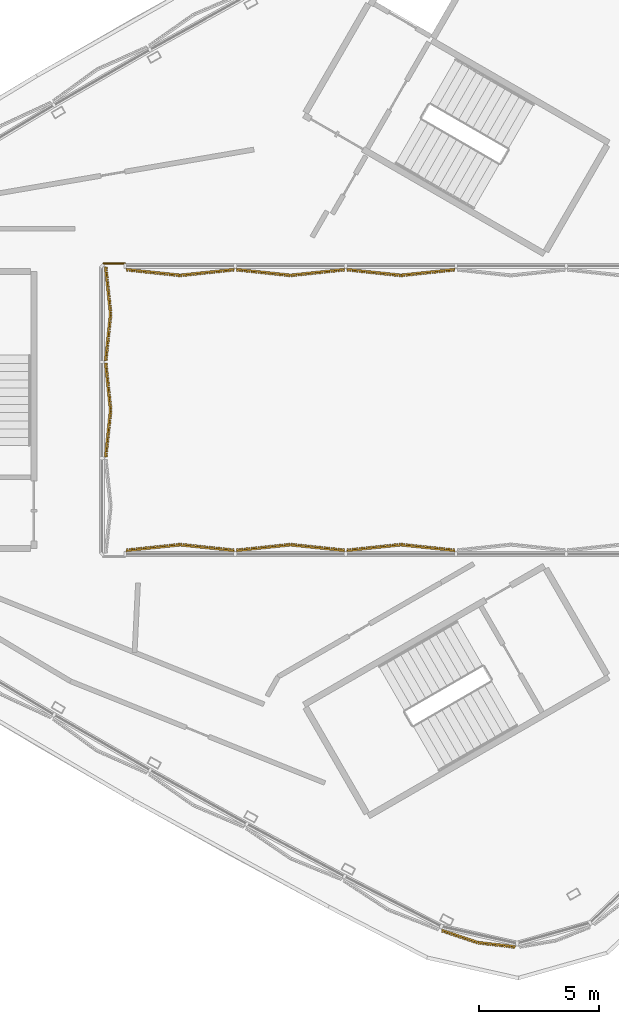
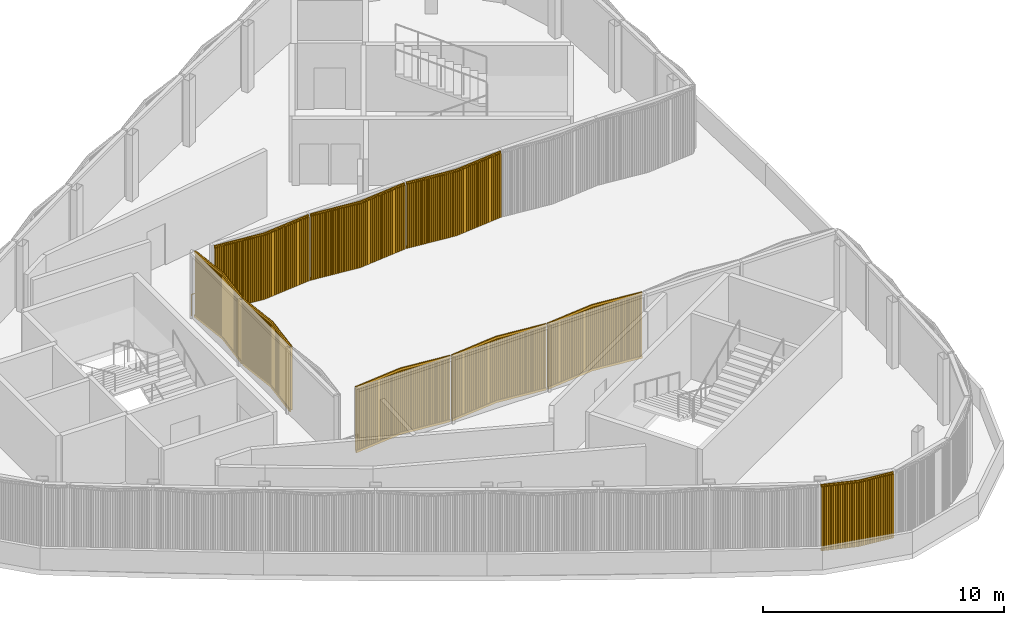
# One storey, part 12 of 16: 9 coverings, 1 railing.
"""IFC4 building model written with IfcOpenShell, lengths in metres."""

from ifc_helpers import new_model, si_unit, direction, frame, frame_2d, origin, origin_2d, place, context, subcontext, project, spatial, rectangle, circle, extrude, source, transform, mapped, material, type_object, element, save


model = new_model("IFC4")

# Units and contexts
model_context = context("Model", 3, precision=1e-05, world=origin(), true_north=direction((0.0, 1.0)))
body_context = subcontext(model_context, "Body", "Model", "MODEL_VIEW")
ifc_project = project(units=[si_unit("LENGTHUNIT", "METRE"), si_unit("AREAUNIT", "SQUARE_METRE"), si_unit("VOLUMEUNIT", "CUBIC_METRE"), si_unit("PLANEANGLEUNIT", "RADIAN"), si_unit("MASSUNIT", "GRAM", prefix="KILO")], contexts=[model_context])

# Site, building, storey
site_placement = place(None, origin())
site = spatial("IfcSite", under=ifc_project, at=site_placement, CompositionType="ELEMENT")
building_placement = place(site_placement, origin())
building = spatial("IfcBuilding", under=site, at=building_placement, Name="Tamra Quay Hotel Tower", CompositionType="ELEMENT")
storey_placement = place(building_placement, frame((0.0, 0.0, 320.60009765625)))
storey = spatial("IfcBuildingStorey", under=building, at=storey_placement, Name="Roof crown 1", CompositionType="ELEMENT", Elevation=320.60009765625)

# Railing
ifc_material_1 = material(Name="Stainless steel balustrade", Category="steel")
railing_type = type_object("IfcRailingType", Name="EXTERIOR GUARD 1100", PredefinedType="GUARDRAIL", material=ifc_material_1)
railing_placement = place(storey_placement, frame((-7.949951171875, 6.10009765625, 0.0)))
element("IfcRailing", 1, at=railing_placement, inside=storey, type_object=railing_type, Name="GR1", PredefinedType="GUARDRAIL", context=body_context, shape_type="SweptSolid", body=[
    extrude(circle(Radius=0.02392578125, at=origin_2d()), frame((0.0, 0.0, 1.076171875), z_axis=(1.0, 0.0, 0.0), x_axis=(0.0, 1.0, 0.0)), (0.0, 0.0, 1.0), 0.91259765625),
    extrude(circle(Radius=0.02099609375, at=origin_2d()), origin(), (0.0, 0.0, 1.0), 1.052001953125),
    extrude(circle(Radius=0.02099609375, at=origin_2d()), frame((0.91259765625, 0.0, 0.0)), (0.0, 0.0, 1.0), 1.052001953125),
])

# Coverings
ifc_material_2 = material(Name="Terracotta baguette extruded", Category="masonry")
covering_type = type_object("IfcCoveringType", Name="BAGUETTE SCREEN CROWN H3350", PredefinedType="USERDEFINED", material=ifc_material_2)
shared_shape_1 = source(origin(), body_context, "Body", "SweptSolid", [
    extrude(rectangle(XDim=1.5810546875, YDim=0.06005859375, at=frame_2d((0.79052734375, 0.030029296875))), frame((-1.578857421875, -0.0576171875, -0.1201171875), z_axis=(0.0, 0.0, 1.0), x_axis=(0.994521895368, -0.104528463268, 0.0)), (0.0, 0.0, 1.0), 0.1201171875),
    extrude(rectangle(XDim=1.5810546875, YDim=0.06005859375, at=frame_2d((0.79052734375, 0.030029296875))), frame((-1.578857421875, -0.0576171875, -3.35009765625), z_axis=(0.0, 0.0, 1.0), x_axis=(0.994521895368, -0.104528463268, 0.0)), (0.0, 0.0, 1.0), 0.1201171875),
    extrude(rectangle(XDim=0.070068359375, YDim=0.10009765625, at=frame_2d((0.03515625, 0.050048828125))), frame((-1.558349609375, -0.133056640625, -3.2900390625)), (0.0, 0.0, 1.0), 3.22998046875),
    extrude(rectangle(XDim=0.070068359375, YDim=0.10009765625, at=frame_2d((0.03515625, 0.050048828125))), frame((-1.4599609375, -0.1435546875, -3.2900390625)), (0.0, 0.0, 1.0), 3.22998046875),
    extrude(rectangle(XDim=0.070068359375, YDim=0.10009765625, at=frame_2d((0.03515625, 0.050048828125))), frame((-1.36181640625, -0.15380859375, -3.2900390625)), (0.0, 0.0, 1.0), 3.22998046875),
    extrude(rectangle(XDim=0.070068359375, YDim=0.10009765625, at=frame_2d((0.03515625, 0.050048828125))), frame((-1.263427734375, -0.1640625, -3.2900390625)), (0.0, 0.0, 1.0), 3.22998046875),
    extrude(rectangle(XDim=0.070068359375, YDim=0.10009765625, at=frame_2d((0.03515625, 0.050048828125))), frame((-1.165283203125, -0.174560546875, -3.2900390625)), (0.0, 0.0, 1.0), 3.22998046875),
    extrude(rectangle(XDim=0.070068359375, YDim=0.10009765625, at=frame_2d((0.03515625, 0.050048828125))), frame((-1.06689453125, -0.184814453125, -3.2900390625)), (0.0, 0.0, 1.0), 3.22998046875),
    extrude(rectangle(XDim=0.070068359375, YDim=0.10009765625, at=frame_2d((0.03515625, 0.050048828125))), frame((-0.96875, -0.195068359375, -3.2900390625)), (0.0, 0.0, 1.0), 3.22998046875),
    extrude(rectangle(XDim=0.070068359375, YDim=0.10009765625, at=frame_2d((0.03515625, 0.050048828125))), frame((-0.870361328125, -0.20556640625, -3.2900390625)), (0.0, 0.0, 1.0), 3.22998046875),
    extrude(rectangle(XDim=0.070068359375, YDim=0.10009765625, at=frame_2d((0.03515625, 0.050048828125))), frame((-0.772216796875, -0.2158203125, -3.2900390625)), (0.0, 0.0, 1.0), 3.22998046875),
    extrude(rectangle(XDim=0.070068359375, YDim=0.10009765625, at=frame_2d((0.03515625, 0.050048828125))), frame((-0.673828125, -0.22607421875, -3.2900390625)), (0.0, 0.0, 1.0), 3.22998046875),
    extrude(rectangle(XDim=0.070068359375, YDim=0.10009765625, at=frame_2d((0.03515625, 0.050048828125))), frame((-0.575439453125, -0.236572265625, -3.2900390625)), (0.0, 0.0, 1.0), 3.22998046875),
    extrude(rectangle(XDim=0.070068359375, YDim=0.10009765625, at=frame_2d((0.03515625, 0.050048828125))), frame((-0.477294921875, -0.246826171875, -3.2900390625)), (0.0, 0.0, 1.0), 3.22998046875),
    extrude(rectangle(XDim=0.070068359375, YDim=0.10009765625, at=frame_2d((0.03515625, 0.050048828125))), frame((-0.37890625, -0.257080078125, -3.2900390625)), (0.0, 0.0, 1.0), 3.22998046875),
    extrude(rectangle(XDim=0.070068359375, YDim=0.10009765625, at=frame_2d((0.03515625, 0.050048828125))), frame((-0.28076171875, -0.267333984375, -3.2900390625)), (0.0, 0.0, 1.0), 3.22998046875),
    extrude(rectangle(XDim=0.070068359375, YDim=0.10009765625, at=frame_2d((0.03515625, 0.050048828125))), frame((-0.182373046875, -0.27783203125, -3.2900390625)), (0.0, 0.0, 1.0), 3.22998046875),
    extrude(rectangle(XDim=0.070068359375, YDim=0.10009765625, at=frame_2d((0.03515625, 0.050048828125))), frame((-0.084228515625, -0.2880859375, -3.2900390625)), (0.0, 0.0, 1.0), 3.22998046875),
    extrude(rectangle(XDim=1.5810546875, YDim=0.06005859375, at=frame_2d((0.79052734375, 0.030029296875))), frame((0.00634765625, -0.222900390625, -0.1201171875), z_axis=(0.0, 0.0, 1.0), x_axis=(0.994521895368, 0.104528463268, 0.0)), (0.0, 0.0, 1.0), 0.1201171875),
    extrude(rectangle(XDim=1.5810546875, YDim=0.06005859375, at=frame_2d((0.79052734375, 0.030029296875))), frame((0.00634765625, -0.222900390625, -3.35009765625), z_axis=(0.0, 0.0, 1.0), x_axis=(0.994521895368, 0.104528463268, 0.0)), (0.0, 0.0, 1.0), 0.1201171875),
    extrude(rectangle(XDim=0.070068359375, YDim=0.10009765625, at=frame_2d((0.03515625, 0.050048828125))), frame((0.01416015625, -0.2880859375, -3.2900390625)), (0.0, 0.0, 1.0), 3.22998046875),
    extrude(rectangle(XDim=0.070068359375, YDim=0.10009765625, at=frame_2d((0.03515625, 0.050048828125))), frame((0.1123046875, -0.27783203125, -3.2900390625)), (0.0, 0.0, 1.0), 3.22998046875),
    extrude(rectangle(XDim=0.070068359375, YDim=0.10009765625, at=frame_2d((0.03515625, 0.050048828125))), frame((0.210693359375, -0.267333984375, -3.2900390625)), (0.0, 0.0, 1.0), 3.22998046875),
    extrude(rectangle(XDim=0.070068359375, YDim=0.10009765625, at=frame_2d((0.03515625, 0.050048828125))), frame((0.30908203125, -0.257080078125, -3.2900390625)), (0.0, 0.0, 1.0), 3.22998046875),
    extrude(rectangle(XDim=0.070068359375, YDim=0.10009765625, at=frame_2d((0.03515625, 0.050048828125))), frame((0.4072265625, -0.246826171875, -3.2900390625)), (0.0, 0.0, 1.0), 3.22998046875),
    extrude(rectangle(XDim=0.070068359375, YDim=0.10009765625, at=frame_2d((0.03515625, 0.050048828125))), frame((0.505615234375, -0.236572265625, -3.2900390625)), (0.0, 0.0, 1.0), 3.22998046875),
    extrude(rectangle(XDim=0.070068359375, YDim=0.10009765625, at=frame_2d((0.03515625, 0.050048828125))), frame((0.603759765625, -0.22607421875, -3.2900390625)), (0.0, 0.0, 1.0), 3.22998046875),
    extrude(rectangle(XDim=0.070068359375, YDim=0.10009765625, at=frame_2d((0.03515625, 0.050048828125))), frame((0.7021484375, -0.2158203125, -3.2900390625)), (0.0, 0.0, 1.0), 3.22998046875),
    extrude(rectangle(XDim=0.070068359375, YDim=0.10009765625, at=frame_2d((0.03515625, 0.050048828125))), frame((0.80029296875, -0.20556640625, -3.2900390625)), (0.0, 0.0, 1.0), 3.22998046875),
    extrude(rectangle(XDim=0.070068359375, YDim=0.10009765625, at=frame_2d((0.03515625, 0.050048828125))), frame((0.898681640625, -0.195068359375, -3.2900390625)), (0.0, 0.0, 1.0), 3.22998046875),
    extrude(rectangle(XDim=0.070068359375, YDim=0.10009765625, at=frame_2d((0.03515625, 0.050048828125))), frame((0.9970703125, -0.184814453125, -3.2900390625)), (0.0, 0.0, 1.0), 3.22998046875),
    extrude(rectangle(XDim=0.070068359375, YDim=0.10009765625, at=frame_2d((0.03515625, 0.050048828125))), frame((1.09521484375, -0.174560546875, -3.2900390625)), (0.0, 0.0, 1.0), 3.22998046875),
    extrude(rectangle(XDim=0.070068359375, YDim=0.10009765625, at=frame_2d((0.03515625, 0.050048828125))), frame((1.193603515625, -0.1640625, -3.2900390625)), (0.0, 0.0, 1.0), 3.22998046875),
    extrude(rectangle(XDim=0.070068359375, YDim=0.10009765625, at=frame_2d((0.03515625, 0.050048828125))), frame((1.291748046875, -0.15380859375, -3.2900390625)), (0.0, 0.0, 1.0), 3.22998046875),
    extrude(rectangle(XDim=0.070068359375, YDim=0.10009765625, at=frame_2d((0.03515625, 0.050048828125))), frame((1.39013671875, -0.1435546875, -3.2900390625)), (0.0, 0.0, 1.0), 3.22998046875),
    extrude(rectangle(XDim=0.070068359375, YDim=0.10009765625, at=frame_2d((0.03515625, 0.050048828125))), frame((1.48828125, -0.133056640625, -3.2900390625)), (0.0, 0.0, 1.0), 3.22998046875),
])
covering_placement = place(storey_placement, frame((7.689697265625, -21.952392578125, 3.349853515625), z_axis=(0.0, 0.0, 1.0), x_axis=(0.975768325721, -0.218806248814, 0.0)))
element("IfcCovering", 2, at=covering_placement, inside=storey, type_object=covering_type, Name="Baguette screen Roof crown 1.B.f15", ObjectType="BAGUETTE SCREEN", PredefinedType="USERDEFINED", context=body_context, shape_type="MappedRepresentation", body=[
    mapped(shared_shape_1, transform((0.0, 0.0, 0.0), scale=1.0)),
])
shared_shape_2 = source(origin(), body_context, "Body", "SweptSolid", [
    extrude(rectangle(XDim=2.264892578125, YDim=0.06005859375, at=frame_2d((1.13232421875, 0.030029296875))), frame((-2.2587890625, -0.0576171875, -0.1201171875), z_axis=(0.0, 0.0, 1.0), x_axis=(0.994521895368, -0.104528463268, 0.0)), (0.0, 0.0, 1.0), 0.1201171875),
    extrude(rectangle(XDim=2.264892578125, YDim=0.06005859375, at=frame_2d((1.13232421875, 0.030029296875))), frame((-2.2587890625, -0.0576171875, -3.35009765625), z_axis=(0.0, 0.0, 1.0), x_axis=(0.994521895368, -0.104528463268, 0.0)), (0.0, 0.0, 1.0), 0.1201171875),
    extrude(rectangle(XDim=0.070068359375, YDim=0.10009765625, at=frame_2d((0.03515625, 0.050048828125))), frame((-2.238525390625, -0.133056640625, -3.2900390625)), (0.0, 0.0, 1.0), 3.22998046875),
    extrude(rectangle(XDim=0.070068359375, YDim=0.10009765625, at=frame_2d((0.03515625, 0.050048828125))), frame((-2.140625, -0.1435546875, -3.2900390625)), (0.0, 0.0, 1.0), 3.22998046875),
    extrude(rectangle(XDim=0.070068359375, YDim=0.10009765625, at=frame_2d((0.03515625, 0.050048828125))), frame((-2.042724609375, -0.15380859375, -3.2900390625)), (0.0, 0.0, 1.0), 3.22998046875),
    extrude(rectangle(XDim=0.070068359375, YDim=0.10009765625, at=frame_2d((0.03515625, 0.050048828125))), frame((-1.94482421875, -0.1640625, -3.2900390625)), (0.0, 0.0, 1.0), 3.22998046875),
    extrude(rectangle(XDim=0.070068359375, YDim=0.10009765625, at=frame_2d((0.03515625, 0.050048828125))), frame((-1.8466796875, -0.17431640625, -3.2900390625)), (0.0, 0.0, 1.0), 3.22998046875),
    extrude(rectangle(XDim=0.070068359375, YDim=0.10009765625, at=frame_2d((0.03515625, 0.050048828125))), frame((-1.748779296875, -0.1845703125, -3.2900390625)), (0.0, 0.0, 1.0), 3.22998046875),
    extrude(rectangle(XDim=0.070068359375, YDim=0.10009765625, at=frame_2d((0.03515625, 0.050048828125))), frame((-1.65087890625, -0.19482421875, -3.2900390625)), (0.0, 0.0, 1.0), 3.22998046875),
    extrude(rectangle(XDim=0.070068359375, YDim=0.10009765625, at=frame_2d((0.03515625, 0.050048828125))), frame((-1.552978515625, -0.205078125, -3.2900390625)), (0.0, 0.0, 1.0), 3.22998046875),
    extrude(rectangle(XDim=0.070068359375, YDim=0.10009765625, at=frame_2d((0.03515625, 0.050048828125))), frame((-1.455078125, -0.215576171875, -3.2900390625)), (0.0, 0.0, 1.0), 3.22998046875),
    extrude(rectangle(XDim=0.070068359375, YDim=0.10009765625, at=frame_2d((0.03515625, 0.050048828125))), frame((-1.357177734375, -0.225830078125, -3.2900390625)), (0.0, 0.0, 1.0), 3.22998046875),
    extrude(rectangle(XDim=0.070068359375, YDim=0.10009765625, at=frame_2d((0.03515625, 0.050048828125))), frame((-1.25927734375, -0.236083984375, -3.2900390625)), (0.0, 0.0, 1.0), 3.22998046875),
    extrude(rectangle(XDim=0.070068359375, YDim=0.10009765625, at=frame_2d((0.03515625, 0.050048828125))), frame((-1.1611328125, -0.246337890625, -3.2900390625)), (0.0, 0.0, 1.0), 3.22998046875),
    extrude(rectangle(XDim=0.070068359375, YDim=0.10009765625, at=frame_2d((0.03515625, 0.050048828125))), frame((-1.063232421875, -0.256591796875, -3.2900390625)), (0.0, 0.0, 1.0), 3.22998046875),
    extrude(rectangle(XDim=0.070068359375, YDim=0.10009765625, at=frame_2d((0.03515625, 0.050048828125))), frame((-0.96533203125, -0.266845703125, -3.2900390625)), (0.0, 0.0, 1.0), 3.22998046875),
    extrude(rectangle(XDim=0.070068359375, YDim=0.10009765625, at=frame_2d((0.03515625, 0.050048828125))), frame((-0.867431640625, -0.27734375, -3.2900390625)), (0.0, 0.0, 1.0), 3.22998046875),
    extrude(rectangle(XDim=0.070068359375, YDim=0.10009765625, at=frame_2d((0.03515625, 0.050048828125))), frame((-0.76953125, -0.28759765625, -3.2900390625)), (0.0, 0.0, 1.0), 3.22998046875),
    extrude(rectangle(XDim=0.070068359375, YDim=0.10009765625, at=frame_2d((0.03515625, 0.050048828125))), frame((-0.671630859375, -0.2978515625, -3.2900390625)), (0.0, 0.0, 1.0), 3.22998046875),
    extrude(rectangle(XDim=0.070068359375, YDim=0.10009765625, at=frame_2d((0.03515625, 0.050048828125))), frame((-0.57373046875, -0.30810546875, -3.2900390625)), (0.0, 0.0, 1.0), 3.22998046875),
    extrude(rectangle(XDim=0.070068359375, YDim=0.10009765625, at=frame_2d((0.03515625, 0.050048828125))), frame((-0.475830078125, -0.318359375, -3.2900390625)), (0.0, 0.0, 1.0), 3.22998046875),
    extrude(rectangle(XDim=0.070068359375, YDim=0.10009765625, at=frame_2d((0.03515625, 0.050048828125))), frame((-0.377685546875, -0.32861328125, -3.2900390625)), (0.0, 0.0, 1.0), 3.22998046875),
    extrude(rectangle(XDim=0.070068359375, YDim=0.10009765625, at=frame_2d((0.03515625, 0.050048828125))), frame((-0.27978515625, -0.339111328125, -3.2900390625)), (0.0, 0.0, 1.0), 3.22998046875),
    extrude(rectangle(XDim=0.070068359375, YDim=0.10009765625, at=frame_2d((0.03515625, 0.050048828125))), frame((-0.181884765625, -0.349365234375, -3.2900390625)), (0.0, 0.0, 1.0), 3.22998046875),
    extrude(rectangle(XDim=0.070068359375, YDim=0.10009765625, at=frame_2d((0.03515625, 0.050048828125))), frame((-0.083984375, -0.359619140625, -3.2900390625)), (0.0, 0.0, 1.0), 3.22998046875),
    extrude(rectangle(XDim=2.264892578125, YDim=0.06005859375, at=frame_2d((1.13232421875, 0.030029296875))), frame((0.00634765625, -0.29443359375, -0.1201171875), z_axis=(0.0, 0.0, 1.0), x_axis=(0.994521895368, 0.104528463268, 0.0)), (0.0, 0.0, 1.0), 0.1201171875),
    extrude(rectangle(XDim=2.264892578125, YDim=0.06005859375, at=frame_2d((1.13232421875, 0.030029296875))), frame((0.00634765625, -0.29443359375, -3.35009765625), z_axis=(0.0, 0.0, 1.0), x_axis=(0.994521895368, 0.104528463268, 0.0)), (0.0, 0.0, 1.0), 0.1201171875),
    extrude(rectangle(XDim=0.070068359375, YDim=0.10009765625, at=frame_2d((0.03515625, 0.050048828125))), frame((0.013916015625, -0.359619140625, -3.2900390625)), (0.0, 0.0, 1.0), 3.22998046875),
    extrude(rectangle(XDim=0.070068359375, YDim=0.10009765625, at=frame_2d((0.03515625, 0.050048828125))), frame((0.11181640625, -0.349365234375, -3.2900390625)), (0.0, 0.0, 1.0), 3.22998046875),
    extrude(rectangle(XDim=0.070068359375, YDim=0.10009765625, at=frame_2d((0.03515625, 0.050048828125))), frame((0.2099609375, -0.339111328125, -3.2900390625)), (0.0, 0.0, 1.0), 3.22998046875),
    extrude(rectangle(XDim=0.070068359375, YDim=0.10009765625, at=frame_2d((0.03515625, 0.050048828125))), frame((0.307861328125, -0.32861328125, -3.2900390625)), (0.0, 0.0, 1.0), 3.22998046875),
    extrude(rectangle(XDim=0.070068359375, YDim=0.10009765625, at=frame_2d((0.03515625, 0.050048828125))), frame((0.40576171875, -0.318359375, -3.2900390625)), (0.0, 0.0, 1.0), 3.22998046875),
    extrude(rectangle(XDim=0.070068359375, YDim=0.10009765625, at=frame_2d((0.03515625, 0.050048828125))), frame((0.503662109375, -0.30810546875, -3.2900390625)), (0.0, 0.0, 1.0), 3.22998046875),
    extrude(rectangle(XDim=0.070068359375, YDim=0.10009765625, at=frame_2d((0.03515625, 0.050048828125))), frame((0.6015625, -0.2978515625, -3.2900390625)), (0.0, 0.0, 1.0), 3.22998046875),
    extrude(rectangle(XDim=0.070068359375, YDim=0.10009765625, at=frame_2d((0.03515625, 0.050048828125))), frame((0.699462890625, -0.28759765625, -3.2900390625)), (0.0, 0.0, 1.0), 3.22998046875),
    extrude(rectangle(XDim=0.070068359375, YDim=0.10009765625, at=frame_2d((0.03515625, 0.050048828125))), frame((0.79736328125, -0.27734375, -3.2900390625)), (0.0, 0.0, 1.0), 3.22998046875),
    extrude(rectangle(XDim=0.070068359375, YDim=0.10009765625, at=frame_2d((0.03515625, 0.050048828125))), frame((0.895263671875, -0.266845703125, -3.2900390625)), (0.0, 0.0, 1.0), 3.22998046875),
    extrude(rectangle(XDim=0.070068359375, YDim=0.10009765625, at=frame_2d((0.03515625, 0.050048828125))), frame((0.993408203125, -0.256591796875, -3.2900390625)), (0.0, 0.0, 1.0), 3.22998046875),
    extrude(rectangle(XDim=0.070068359375, YDim=0.10009765625, at=frame_2d((0.03515625, 0.050048828125))), frame((1.09130859375, -0.246337890625, -3.2900390625)), (0.0, 0.0, 1.0), 3.22998046875),
    extrude(rectangle(XDim=0.070068359375, YDim=0.10009765625, at=frame_2d((0.03515625, 0.050048828125))), frame((1.189208984375, -0.236083984375, -3.2900390625)), (0.0, 0.0, 1.0), 3.22998046875),
    extrude(rectangle(XDim=0.070068359375, YDim=0.10009765625, at=frame_2d((0.03515625, 0.050048828125))), frame((1.287109375, -0.225830078125, -3.2900390625)), (0.0, 0.0, 1.0), 3.22998046875),
    extrude(rectangle(XDim=0.070068359375, YDim=0.10009765625, at=frame_2d((0.03515625, 0.050048828125))), frame((1.385009765625, -0.215576171875, -3.2900390625)), (0.0, 0.0, 1.0), 3.22998046875),
    extrude(rectangle(XDim=0.070068359375, YDim=0.10009765625, at=frame_2d((0.03515625, 0.050048828125))), frame((1.48291015625, -0.205078125, -3.2900390625)), (0.0, 0.0, 1.0), 3.22998046875),
    extrude(rectangle(XDim=0.070068359375, YDim=0.10009765625, at=frame_2d((0.03515625, 0.050048828125))), frame((1.580810546875, -0.19482421875, -3.2900390625)), (0.0, 0.0, 1.0), 3.22998046875),
    extrude(rectangle(XDim=0.070068359375, YDim=0.10009765625, at=frame_2d((0.03515625, 0.050048828125))), frame((1.678955078125, -0.1845703125, -3.2900390625)), (0.0, 0.0, 1.0), 3.22998046875),
    extrude(rectangle(XDim=0.070068359375, YDim=0.10009765625, at=frame_2d((0.03515625, 0.050048828125))), frame((1.77685546875, -0.17431640625, -3.2900390625)), (0.0, 0.0, 1.0), 3.22998046875),
    extrude(rectangle(XDim=0.070068359375, YDim=0.10009765625, at=frame_2d((0.03515625, 0.050048828125))), frame((1.874755859375, -0.1640625, -3.2900390625)), (0.0, 0.0, 1.0), 3.22998046875),
    extrude(rectangle(XDim=0.070068359375, YDim=0.10009765625, at=frame_2d((0.03515625, 0.050048828125))), frame((1.97265625, -0.15380859375, -3.2900390625)), (0.0, 0.0, 1.0), 3.22998046875),
    extrude(rectangle(XDim=0.070068359375, YDim=0.10009765625, at=frame_2d((0.03515625, 0.050048828125))), frame((2.070556640625, -0.1435546875, -3.2900390625)), (0.0, 0.0, 1.0), 3.22998046875),
    extrude(rectangle(XDim=0.070068359375, YDim=0.10009765625, at=frame_2d((0.03515625, 0.050048828125))), frame((2.16845703125, -0.133056640625, -3.2900390625)), (0.0, 0.0, 1.0), 3.22998046875),
])
for number, where, z_axis, x_axis, name in (
    (3, (-4.740966796875, 5.902099609375, 3.349853515625), (0.0, 0.0, 1.0), (1.0, 0.0, 0.0), "Baguette screen Roof crown 1.A.f15"),
    (4, (-0.148193359375, 5.902099609375, 3.349853515625), (0.0, 0.0, 1.0), (1.0, 0.0, 0.0), "Baguette screen Roof crown 1.A.f16"),
    (5, (4.444580078125, 5.902099609375, 3.349853515625), (0.0, 0.0, 1.0), (1.0, 0.0, 0.0), "Baguette screen Roof crown 1.A.f17"),
    (6, (4.444580078125, -5.902099609375, 3.349853515625), (0.0, 0.0, 1.0), (-1.0, 0.0, 0.0), "Baguette screen Roof crown 1.B.f02"),
    (7, (-0.148193359375, -5.902099609375, 3.349853515625), (0.0, 0.0, 1.0), (-1.0, 0.0, 0.0), "Baguette screen Roof crown 1.B.f03"),
    (8, (-4.740966796875, -5.902099609375, 3.349853515625), (0.0, 0.0, 1.0), (-1.0, 0.0, 0.0), "Baguette screen Roof crown 1.B.f04"),
):
    element("IfcCovering", number, at=place(storey_placement, frame(where, z_axis=z_axis, x_axis=x_axis)), inside=storey, type_object=covering_type, Name=name, ObjectType="BAGUETTE SCREEN", PredefinedType="USERDEFINED", context=body_context, shape_type="MappedRepresentation", body=[
        mapped(shared_shape_2, transform((0.0, 0.0, 0.0), scale=1.0)),
    ])
shared_shape_3 = source(origin(), body_context, "Body", "SweptSolid", [
    extrude(rectangle(XDim=1.973388671875, YDim=0.06005859375, at=frame_2d((0.98681640625, 0.030029296875))), frame((-1.96875, -0.0576171875, -0.1201171875), z_axis=(0.0, 0.0, 1.0), x_axis=(0.994521895368, -0.104528463268, 0.0)), (0.0, 0.0, 1.0), 0.1201171875),
    extrude(rectangle(XDim=1.973388671875, YDim=0.06005859375, at=frame_2d((0.98681640625, 0.030029296875))), frame((-1.96875, -0.0576171875, -3.35009765625), z_axis=(0.0, 0.0, 1.0), x_axis=(0.994521895368, -0.104528463268, 0.0)), (0.0, 0.0, 1.0), 0.1201171875),
    extrude(rectangle(XDim=0.070068359375, YDim=0.10009765625, at=frame_2d((0.03515625, 0.050048828125))), frame((-1.948486328125, -0.133056640625, -3.2900390625)), (0.0, 0.0, 1.0), 3.22998046875),
    extrude(rectangle(XDim=0.070068359375, YDim=0.10009765625, at=frame_2d((0.03515625, 0.050048828125))), frame((-1.850341796875, -0.1435546875, -3.2900390625)), (0.0, 0.0, 1.0), 3.22998046875),
    extrude(rectangle(XDim=0.070068359375, YDim=0.10009765625, at=frame_2d((0.03515625, 0.050048828125))), frame((-1.752197265625, -0.15380859375, -3.2900390625)), (0.0, 0.0, 1.0), 3.22998046875),
    extrude(rectangle(XDim=0.070068359375, YDim=0.10009765625, at=frame_2d((0.03515625, 0.050048828125))), frame((-1.654052734375, -0.1640625, -3.2900390625)), (0.0, 0.0, 1.0), 3.22998046875),
    extrude(rectangle(XDim=0.070068359375, YDim=0.10009765625, at=frame_2d((0.03515625, 0.050048828125))), frame((-1.555908203125, -0.17431640625, -3.2900390625)), (0.0, 0.0, 1.0), 3.22998046875),
    extrude(rectangle(XDim=0.070068359375, YDim=0.10009765625, at=frame_2d((0.03515625, 0.050048828125))), frame((-1.457763671875, -0.184814453125, -3.2900390625)), (0.0, 0.0, 1.0), 3.22998046875),
    extrude(rectangle(XDim=0.070068359375, YDim=0.10009765625, at=frame_2d((0.03515625, 0.050048828125))), frame((-1.359619140625, -0.195068359375, -3.2900390625)), (0.0, 0.0, 1.0), 3.22998046875),
    extrude(rectangle(XDim=0.070068359375, YDim=0.10009765625, at=frame_2d((0.03515625, 0.050048828125))), frame((-1.261474609375, -0.205322265625, -3.2900390625)), (0.0, 0.0, 1.0), 3.22998046875),
    extrude(rectangle(XDim=0.070068359375, YDim=0.10009765625, at=frame_2d((0.03515625, 0.050048828125))), frame((-1.163330078125, -0.215576171875, -3.2900390625)), (0.0, 0.0, 1.0), 3.22998046875),
    extrude(rectangle(XDim=0.070068359375, YDim=0.10009765625, at=frame_2d((0.03515625, 0.050048828125))), frame((-1.0654296875, -0.22607421875, -3.2900390625)), (0.0, 0.0, 1.0), 3.22998046875),
    extrude(rectangle(XDim=0.070068359375, YDim=0.10009765625, at=frame_2d((0.03515625, 0.050048828125))), frame((-0.96728515625, -0.236328125, -3.2900390625)), (0.0, 0.0, 1.0), 3.22998046875),
    extrude(rectangle(XDim=0.070068359375, YDim=0.10009765625, at=frame_2d((0.03515625, 0.050048828125))), frame((-0.869140625, -0.24658203125, -3.2900390625)), (0.0, 0.0, 1.0), 3.22998046875),
    extrude(rectangle(XDim=0.070068359375, YDim=0.10009765625, at=frame_2d((0.03515625, 0.050048828125))), frame((-0.77099609375, -0.2568359375, -3.2900390625)), (0.0, 0.0, 1.0), 3.22998046875),
    extrude(rectangle(XDim=0.070068359375, YDim=0.10009765625, at=frame_2d((0.03515625, 0.050048828125))), frame((-0.6728515625, -0.267333984375, -3.2900390625)), (0.0, 0.0, 1.0), 3.22998046875),
    extrude(rectangle(XDim=0.070068359375, YDim=0.10009765625, at=frame_2d((0.03515625, 0.050048828125))), frame((-0.57470703125, -0.277587890625, -3.2900390625)), (0.0, 0.0, 1.0), 3.22998046875),
    extrude(rectangle(XDim=0.070068359375, YDim=0.10009765625, at=frame_2d((0.03515625, 0.050048828125))), frame((-0.4765625, -0.287841796875, -3.2900390625)), (0.0, 0.0, 1.0), 3.22998046875),
    extrude(rectangle(XDim=0.070068359375, YDim=0.10009765625, at=frame_2d((0.03515625, 0.050048828125))), frame((-0.37841796875, -0.298095703125, -3.2900390625)), (0.0, 0.0, 1.0), 3.22998046875),
    extrude(rectangle(XDim=0.070068359375, YDim=0.10009765625, at=frame_2d((0.03515625, 0.050048828125))), frame((-0.2802734375, -0.30859375, -3.2900390625)), (0.0, 0.0, 1.0), 3.22998046875),
    extrude(rectangle(XDim=0.070068359375, YDim=0.10009765625, at=frame_2d((0.03515625, 0.050048828125))), frame((-0.18212890625, -0.31884765625, -3.2900390625)), (0.0, 0.0, 1.0), 3.22998046875),
    extrude(rectangle(XDim=0.070068359375, YDim=0.10009765625, at=frame_2d((0.03515625, 0.050048828125))), frame((-0.083984375, -0.3291015625, -3.2900390625)), (0.0, 0.0, 1.0), 3.22998046875),
    extrude(rectangle(XDim=1.973388671875, YDim=0.06005859375, at=frame_2d((0.98681640625, 0.030029296875))), frame((0.00634765625, -0.263916015625, -0.1201171875), z_axis=(0.0, 0.0, 1.0), x_axis=(0.994521895368, 0.104528463268, 0.0)), (0.0, 0.0, 1.0), 0.1201171875),
    extrude(rectangle(XDim=1.973388671875, YDim=0.06005859375, at=frame_2d((0.98681640625, 0.030029296875))), frame((0.00634765625, -0.263916015625, -3.35009765625), z_axis=(0.0, 0.0, 1.0), x_axis=(0.994521895368, 0.104528463268, 0.0)), (0.0, 0.0, 1.0), 0.1201171875),
    extrude(rectangle(XDim=0.070068359375, YDim=0.10009765625, at=frame_2d((0.03515625, 0.050048828125))), frame((0.01416015625, -0.3291015625, -3.2900390625)), (0.0, 0.0, 1.0), 3.22998046875),
    extrude(rectangle(XDim=0.070068359375, YDim=0.10009765625, at=frame_2d((0.03515625, 0.050048828125))), frame((0.1123046875, -0.31884765625, -3.2900390625)), (0.0, 0.0, 1.0), 3.22998046875),
    extrude(rectangle(XDim=0.070068359375, YDim=0.10009765625, at=frame_2d((0.03515625, 0.050048828125))), frame((0.210205078125, -0.30859375, -3.2900390625)), (0.0, 0.0, 1.0), 3.22998046875),
    extrude(rectangle(XDim=0.070068359375, YDim=0.10009765625, at=frame_2d((0.03515625, 0.050048828125))), frame((0.308349609375, -0.298095703125, -3.2900390625)), (0.0, 0.0, 1.0), 3.22998046875),
    extrude(rectangle(XDim=0.070068359375, YDim=0.10009765625, at=frame_2d((0.03515625, 0.050048828125))), frame((0.406494140625, -0.287841796875, -3.2900390625)), (0.0, 0.0, 1.0), 3.22998046875),
    extrude(rectangle(XDim=0.070068359375, YDim=0.10009765625, at=frame_2d((0.03515625, 0.050048828125))), frame((0.504638671875, -0.277587890625, -3.2900390625)), (0.0, 0.0, 1.0), 3.22998046875),
    extrude(rectangle(XDim=0.070068359375, YDim=0.10009765625, at=frame_2d((0.03515625, 0.050048828125))), frame((0.602783203125, -0.267333984375, -3.2900390625)), (0.0, 0.0, 1.0), 3.22998046875),
    extrude(rectangle(XDim=0.070068359375, YDim=0.10009765625, at=frame_2d((0.03515625, 0.050048828125))), frame((0.700927734375, -0.2568359375, -3.2900390625)), (0.0, 0.0, 1.0), 3.22998046875),
    extrude(rectangle(XDim=0.070068359375, YDim=0.10009765625, at=frame_2d((0.03515625, 0.050048828125))), frame((0.799072265625, -0.24658203125, -3.2900390625)), (0.0, 0.0, 1.0), 3.22998046875),
    extrude(rectangle(XDim=0.070068359375, YDim=0.10009765625, at=frame_2d((0.03515625, 0.050048828125))), frame((0.897216796875, -0.236328125, -3.2900390625)), (0.0, 0.0, 1.0), 3.22998046875),
    extrude(rectangle(XDim=0.070068359375, YDim=0.10009765625, at=frame_2d((0.03515625, 0.050048828125))), frame((0.995361328125, -0.22607421875, -3.2900390625)), (0.0, 0.0, 1.0), 3.22998046875),
    extrude(rectangle(XDim=0.070068359375, YDim=0.10009765625, at=frame_2d((0.03515625, 0.050048828125))), frame((1.093505859375, -0.215576171875, -3.2900390625)), (0.0, 0.0, 1.0), 3.22998046875),
    extrude(rectangle(XDim=0.070068359375, YDim=0.10009765625, at=frame_2d((0.03515625, 0.050048828125))), frame((1.191650390625, -0.205322265625, -3.2900390625)), (0.0, 0.0, 1.0), 3.22998046875),
    extrude(rectangle(XDim=0.070068359375, YDim=0.10009765625, at=frame_2d((0.03515625, 0.050048828125))), frame((1.289794921875, -0.195068359375, -3.2900390625)), (0.0, 0.0, 1.0), 3.22998046875),
    extrude(rectangle(XDim=0.070068359375, YDim=0.10009765625, at=frame_2d((0.03515625, 0.050048828125))), frame((1.3876953125, -0.184814453125, -3.2900390625)), (0.0, 0.0, 1.0), 3.22998046875),
    extrude(rectangle(XDim=0.070068359375, YDim=0.10009765625, at=frame_2d((0.03515625, 0.050048828125))), frame((1.48583984375, -0.17431640625, -3.2900390625)), (0.0, 0.0, 1.0), 3.22998046875),
    extrude(rectangle(XDim=0.070068359375, YDim=0.10009765625, at=frame_2d((0.03515625, 0.050048828125))), frame((1.583984375, -0.1640625, -3.2900390625)), (0.0, 0.0, 1.0), 3.22998046875),
    extrude(rectangle(XDim=0.070068359375, YDim=0.10009765625, at=frame_2d((0.03515625, 0.050048828125))), frame((1.68212890625, -0.15380859375, -3.2900390625)), (0.0, 0.0, 1.0), 3.22998046875),
    extrude(rectangle(XDim=0.070068359375, YDim=0.10009765625, at=frame_2d((0.03515625, 0.050048828125))), frame((1.7802734375, -0.1435546875, -3.2900390625)), (0.0, 0.0, 1.0), 3.22998046875),
    extrude(rectangle(XDim=0.070068359375, YDim=0.10009765625, at=frame_2d((0.03515625, 0.050048828125))), frame((1.87841796875, -0.133056640625, -3.2900390625)), (0.0, 0.0, 1.0), 3.22998046875),
])
for number, where, z_axis, x_axis, name in (
    (9, (-7.902099609375, 0.0, 3.349853515625), (0.0, 0.0, 1.0), (0.0, 1.0, 0.0), "Baguette screen Roof crown 1.C.f05"),
    (10, (-7.902099609375, 4.0, 3.349853515625), (0.0, 0.0, 1.0), (0.0, 1.0, 0.0), "Baguette screen Roof crown 1.C.f06"),
):
    element("IfcCovering", number, at=place(storey_placement, frame(where, z_axis=z_axis, x_axis=x_axis)), inside=storey, type_object=covering_type, Name=name, ObjectType="BAGUETTE SCREEN", PredefinedType="USERDEFINED", context=body_context, shape_type="MappedRepresentation", body=[
        mapped(shared_shape_3, transform((0.0, 0.0, 0.0), scale=1.0)),
    ])

save(model, "model.ifc")
